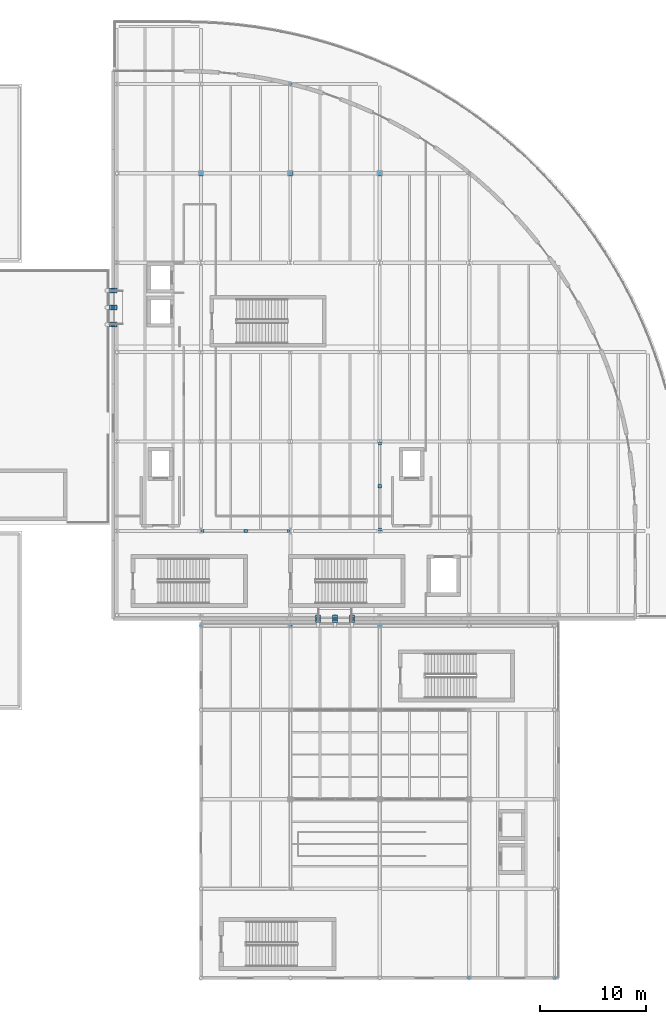
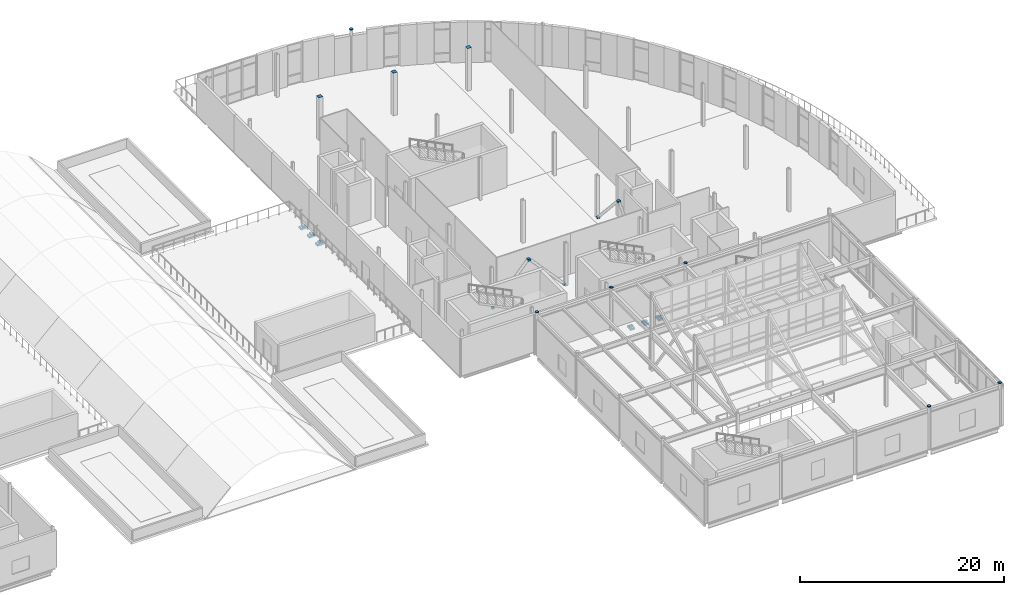
# One storey, part 76 of 91: 27 discrete accessories.
"""IFC4 building model written with IfcOpenShell, lengths in metres."""

from ifc_helpers import new_model, si_unit, direction, frame, origin, origin_2d, place, context, subcontext, project, spatial, rectangle, circle, extrude, material, type_object, element, save


model = new_model("IFC4")

# Units and contexts
model_context = context("Model", 3, precision=1e-05, world=origin(), true_north=direction((0.0, 1.0)))
body_context = subcontext(model_context, "Body", "Model", "MODEL_VIEW")
ifc_project = project(units=[si_unit("LENGTHUNIT", "METRE"), si_unit("AREAUNIT", "SQUARE_METRE"), si_unit("VOLUMEUNIT", "CUBIC_METRE"), si_unit("PLANEANGLEUNIT", "RADIAN"), si_unit("MASSUNIT", "GRAM", prefix="KILO"), si_unit("THERMODYNAMICTEMPERATUREUNIT", "KELVIN")], contexts=[model_context])

# Site, building, storey
site_placement = place(None, origin())
site = spatial("IfcSite", under=ifc_project, at=site_placement, CompositionType="ELEMENT")
building_placement = place(site_placement, origin())
building = spatial("IfcBuilding", under=site, at=building_placement, Name="Lustrewick Department Store", CompositionType="ELEMENT")
storey_placement = place(building_placement, frame((0.0, 0.0, 21.60009765625)))
storey = spatial("IfcBuildingStorey", under=building, at=storey_placement, Name="L05", CompositionType="ELEMENT", Elevation=21.60009765625)

# Discrete accessories
ifc_material = material(Name="Structural steel Q355C", Category="steel")
discrete_accessory_type_1 = type_object("IfcDiscreteAccessoryType", Name="GUS-NODE", PredefinedType="BRACKET", material=ifc_material)
for number, where, z_axis, x_axis, name in (
    (1, (117.75, 58.800048828125, 0.06005859375), (0.0, 0.0, 1.0), (1.0, 0.0, 0.0), "L05 V4 Brace Base Gusset Plate"),
    (2, (125.85009765625, 58.800048828125, 0.06005859375), (0.0, 0.0, 1.0), (1.0, 0.0, 0.0), "L05 V4 Brace Base Gusset Plate"),
):
    element("IfcDiscreteAccessory", number, at=place(storey_placement, frame(where, z_axis=z_axis, x_axis=x_axis)), inside=storey, type_object=discrete_accessory_type_1, Name=name, PredefinedType="BRACKET", context=body_context, shape_type="SweptSolid", body=[
        extrude(rectangle(XDim=0.280029296875, YDim=0.280029296875, at=origin_2d()), origin(), (0.0, 0.0, 1.0), 0.179931640625),
    ])
discrete_accessory_1_placement = place(storey_placement, frame((121.800048828125, 58.800048828125, 4.384765625), z_axis=(0.0, 0.0, 1.0), x_axis=(1.0, 0.0, 0.0)))
element("IfcDiscreteAccessory", 3, at=discrete_accessory_1_placement, inside=storey, type_object=discrete_accessory_type_1, Name="L05 V4 Chevron Brace Apex Gusset Plate", PredefinedType="BRACKET", context=body_context, shape_type="SweptSolid", body=[
    extrude(rectangle(XDim=0.320068359375, YDim=0.320068359375, at=origin_2d()), origin(), (0.0, 0.0, 1.0), 0.219970703125),
])
for number, where, z_axis, x_axis, name in (
    (4, (134.39990234375, 58.949951171875, 0.06005859375), (0.0, 0.0, 1.0), (1.0, 0.0, 0.0), "L05 V4 Brace Base Gusset Plate"),
    (5, (134.39990234375, 67.028076171875, 0.06005859375), (0.0, 0.0, 1.0), (1.0, 0.0, 0.0), "L05 V4 Brace Base Gusset Plate"),
):
    element("IfcDiscreteAccessory", number, at=place(storey_placement, frame(where, z_axis=z_axis, x_axis=x_axis)), inside=storey, type_object=discrete_accessory_type_1, Name=name, PredefinedType="BRACKET", context=body_context, shape_type="SweptSolid", body=[
        extrude(rectangle(XDim=0.280029296875, YDim=0.280029296875, at=origin_2d()), origin(), (0.0, 0.0, 1.0), 0.179931640625),
    ])
discrete_accessory_2_placement = place(storey_placement, frame((134.39990234375, 63.0, 4.384765625), z_axis=(0.0, 0.0, 1.0), x_axis=(1.0, 0.0, 0.0)))
element("IfcDiscreteAccessory", 6, at=discrete_accessory_2_placement, inside=storey, type_object=discrete_accessory_type_1, Name="L05 V4 Chevron Brace Apex Gusset Plate", PredefinedType="BRACKET", context=body_context, shape_type="SweptSolid", body=[
    extrude(rectangle(XDim=0.320068359375, YDim=0.320068359375, at=origin_2d()), origin(), (0.0, 0.0, 1.0), 0.219970703125),
])
discrete_accessory_type_2 = type_object("IfcDiscreteAccessoryType", Name="SB-CORBEL", PredefinedType="BRACKET", material=ifc_material)
for number, where, z_axis, x_axis, name in (
    (7, (109.35009765625, 78.199951171875, -1.11328125), (0.0, 0.0, 1.0), (1.0, 0.0, 0.0), "L05 Skybridge SB24 700 mm Bearing Seat Corbel 1"),
    (8, (109.35009765625, 79.800048828125, -1.11328125), (0.0, 0.0, 1.0), (1.0, 0.0, 0.0), "L05 Skybridge SB24 700 mm Bearing Seat Corbel 2"),
    (9, (109.35009765625, 81.39990234375, -1.11328125), (0.0, 0.0, 1.0), (1.0, 0.0, 0.0), "L05 Skybridge SB24 700 mm Bearing Seat Corbel 3"),
):
    element("IfcDiscreteAccessory", number, at=place(storey_placement, frame(where, z_axis=z_axis, x_axis=x_axis)), inside=storey, type_object=discrete_accessory_type_2, Name=name, PredefinedType="BRACKET", context=body_context, shape_type="SweptSolid", body=[
        extrude(rectangle(XDim=0.699951171875, YDim=0.47998046875, at=origin_2d()), origin(), (0.0, 0.0, 1.0), 0.219970703125),
    ])
for number, where, z_axis, x_axis, name in (
    (10, (128.60009765625, 50.550048828125, -1.11328125), (0.0, 0.0, 1.0), (1.0, 0.0, 0.0), "L05 Skybridge SB34 700 mm Bearing Seat Corbel 1"),
    (11, (130.199951171875, 50.550048828125, -1.11328125), (0.0, 0.0, 1.0), (1.0, 0.0, 0.0), "L05 Skybridge SB34 700 mm Bearing Seat Corbel 2"),
    (12, (131.800048828125, 50.550048828125, -1.11328125), (0.0, 0.0, 1.0), (1.0, 0.0, 0.0), "L05 Skybridge SB34 700 mm Bearing Seat Corbel 3"),
):
    element("IfcDiscreteAccessory", number, at=place(storey_placement, frame(where, z_axis=z_axis, x_axis=x_axis)), inside=storey, type_object=discrete_accessory_type_2, Name=name, PredefinedType="BRACKET", context=body_context, shape_type="SweptSolid", body=[
        extrude(rectangle(XDim=0.47998046875, YDim=0.699951171875, at=origin_2d()), origin(), (0.0, 0.0, 1.0), 0.219970703125),
    ])
discrete_accessory_type_3 = type_object("IfcDiscreteAccessoryType", Name="SB-PTFE", PredefinedType="BRACKET", material=ifc_material)
for number, where, z_axis, x_axis, name in (
    (13, (109.35009765625, 78.199951171875, -0.89306640625), (0.0, 0.0, 1.0), (1.0, 0.0, 0.0), "L05 Skybridge SB24 PTFE Sliding Bearing 1"),
    (14, (109.35009765625, 79.800048828125, -0.89306640625), (0.0, 0.0, 1.0), (1.0, 0.0, 0.0), "L05 Skybridge SB24 PTFE Sliding Bearing 2"),
    (15, (109.35009765625, 81.39990234375, -0.89306640625), (0.0, 0.0, 1.0), (1.0, 0.0, 0.0), "L05 Skybridge SB24 PTFE Sliding Bearing 3"),
):
    element("IfcDiscreteAccessory", number, at=place(storey_placement, frame(where, z_axis=z_axis, x_axis=x_axis)), inside=storey, type_object=discrete_accessory_type_3, Name=name, PredefinedType="BRACKET", context=body_context, shape_type="SweptSolid", body=[
        extrude(rectangle(XDim=0.199951171875, YDim=0.449951171875, at=origin_2d()), origin(), (0.0, 0.0, 1.0), 0.159912109375),
    ])
for number, where, z_axis, x_axis, name in (
    (16, (128.60009765625, 50.550048828125, -0.89306640625), (0.0, 0.0, 1.0), (1.0, 0.0, 0.0), "L05 Skybridge SB34 PTFE Sliding Bearing 1"),
    (17, (130.199951171875, 50.550048828125, -0.89306640625), (0.0, 0.0, 1.0), (1.0, 0.0, 0.0), "L05 Skybridge SB34 PTFE Sliding Bearing 2"),
    (18, (131.800048828125, 50.550048828125, -0.89306640625), (0.0, 0.0, 1.0), (1.0, 0.0, 0.0), "L05 Skybridge SB34 PTFE Sliding Bearing 3"),
):
    element("IfcDiscreteAccessory", number, at=place(storey_placement, frame(where, z_axis=z_axis, x_axis=x_axis)), inside=storey, type_object=discrete_accessory_type_3, Name=name, PredefinedType="BRACKET", context=body_context, shape_type="SweptSolid", body=[
        extrude(rectangle(XDim=0.449951171875, YDim=0.199951171875, at=origin_2d()), origin(), (0.0, 0.0, 1.0), 0.159912109375),
    ])
discrete_accessory_type_4 = type_object("IfcDiscreteAccessoryType", Name="ECP-01", PredefinedType="USERDEFINED", material=ifc_material)
for number, where, z_axis, x_axis, name in (
    (19, (142.800048828125, 16.800048828125, 5.09375), (0.0, 0.0, 1.0), (1.0, 0.0, 0.0), "L05 Welded Hollow-Section End-Cap Plate ECP-01"),
    (20, (126.0, 49.89990234375, 5.09375), (0.0, 0.0, 1.0), (1.0, 0.0, 0.0), "L05 Welded Hollow-Section End-Cap Plate ECP-01"),
    (21, (134.39990234375, 49.89990234375, 5.09375), (0.0, 0.0, 1.0), (1.0, 0.0, 0.0), "L05 Welded Hollow-Section End-Cap Plate ECP-01"),
):
    element("IfcDiscreteAccessory", number, at=place(storey_placement, frame(where, z_axis=z_axis, x_axis=x_axis)), inside=storey, type_object=discrete_accessory_type_4, Name=name, ObjectType="END_CAP_PLATE", PredefinedType="USERDEFINED", context=body_context, shape_type="SweptSolid", body=[
        extrude(circle(Radius=0.177978515625, at=origin_2d()), origin(), (0.0, 0.0, 1.0), 0.01611328125),
    ])
discrete_accessory_3_placement = place(storey_placement, frame((134.39990234375, 92.39990234375, 5.09375), z_axis=(0.0, 0.0, 1.0), x_axis=(1.0, 0.0, 0.0)))
element("IfcDiscreteAccessory", 22, at=discrete_accessory_3_placement, inside=storey, type_object=discrete_accessory_type_4, Name="L05 Welded Hollow-Section End-Cap Plate ECP-01", ObjectType="END_CAP_PLATE", PredefinedType="USERDEFINED", context=body_context, shape_type="SweptSolid", body=[
    extrude(rectangle(XDim=0.449951171875, YDim=0.449951171875, at=origin_2d()), origin(), (0.0, 0.0, 1.0), 0.01611328125),
])
discrete_accessory_4_placement = place(storey_placement, frame((150.800048828125, 16.800048828125, 5.09375), z_axis=(0.0, 0.0, 1.0), x_axis=(1.0, 0.0, 0.0)))
element("IfcDiscreteAccessory", 23, at=discrete_accessory_4_placement, inside=storey, type_object=discrete_accessory_type_4, Name="L05 Welded Hollow-Section End-Cap Plate ECP-01", ObjectType="END_CAP_PLATE", PredefinedType="USERDEFINED", context=body_context, shape_type="SweptSolid", body=[
    extrude(circle(Radius=0.177978515625, at=origin_2d()), origin(), (0.0, 0.0, 1.0), 0.01611328125),
])
discrete_accessory_5_placement = place(storey_placement, frame((117.60009765625, 92.39990234375, 5.09375), z_axis=(0.0, 0.0, 1.0), x_axis=(1.0, 0.0, 0.0)))
element("IfcDiscreteAccessory", 24, at=discrete_accessory_5_placement, inside=storey, type_object=discrete_accessory_type_4, Name="L05 Welded Hollow-Section End-Cap Plate ECP-01", ObjectType="END_CAP_PLATE", PredefinedType="USERDEFINED", context=body_context, shape_type="SweptSolid", body=[
    extrude(rectangle(XDim=0.449951171875, YDim=0.449951171875, at=origin_2d()), origin(), (0.0, 0.0, 1.0), 0.01611328125),
])
discrete_accessory_6_placement = place(storey_placement, frame((126.0, 100.800048828125, 5.09375), z_axis=(0.0, 0.0, 1.0), x_axis=(1.0, 0.0, 0.0)))
element("IfcDiscreteAccessory", 25, at=discrete_accessory_6_placement, inside=storey, type_object=discrete_accessory_type_4, Name="L05 Welded Hollow-Section End-Cap Plate ECP-01", ObjectType="END_CAP_PLATE", PredefinedType="USERDEFINED", context=body_context, shape_type="SweptSolid", body=[
    extrude(circle(Radius=0.177978515625, at=origin_2d()), origin(), (0.0, 0.0, 1.0), 0.01611328125),
])
discrete_accessory_7_placement = place(storey_placement, frame((126.0, 92.39990234375, 5.09375), z_axis=(0.0, 0.0, 1.0), x_axis=(1.0, 0.0, 0.0)))
element("IfcDiscreteAccessory", 26, at=discrete_accessory_7_placement, inside=storey, type_object=discrete_accessory_type_4, Name="L05 Welded Hollow-Section End-Cap Plate ECP-01", ObjectType="END_CAP_PLATE", PredefinedType="USERDEFINED", context=body_context, shape_type="SweptSolid", body=[
    extrude(rectangle(XDim=0.449951171875, YDim=0.449951171875, at=origin_2d()), origin(), (0.0, 0.0, 1.0), 0.01611328125),
])
discrete_accessory_8_placement = place(storey_placement, frame((117.60009765625, 49.89990234375, 5.09375), z_axis=(0.0, 0.0, 1.0), x_axis=(1.0, 0.0, 0.0)))
element("IfcDiscreteAccessory", 27, at=discrete_accessory_8_placement, inside=storey, type_object=discrete_accessory_type_4, Name="L05 Welded Hollow-Section End-Cap Plate ECP-01", ObjectType="END_CAP_PLATE", PredefinedType="USERDEFINED", context=body_context, shape_type="SweptSolid", body=[
    extrude(circle(Radius=0.177978515625, at=origin_2d()), origin(), (0.0, 0.0, 1.0), 0.01611328125),
])

save(model, "model.ifc")
